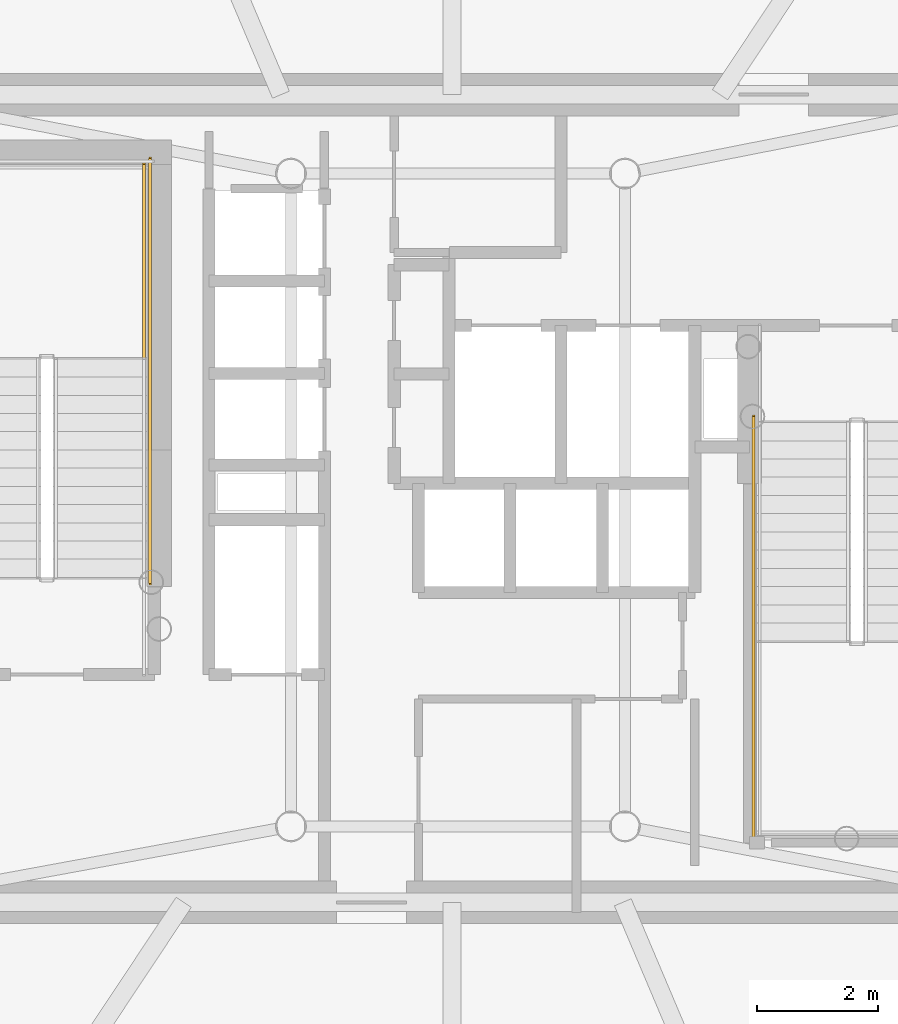
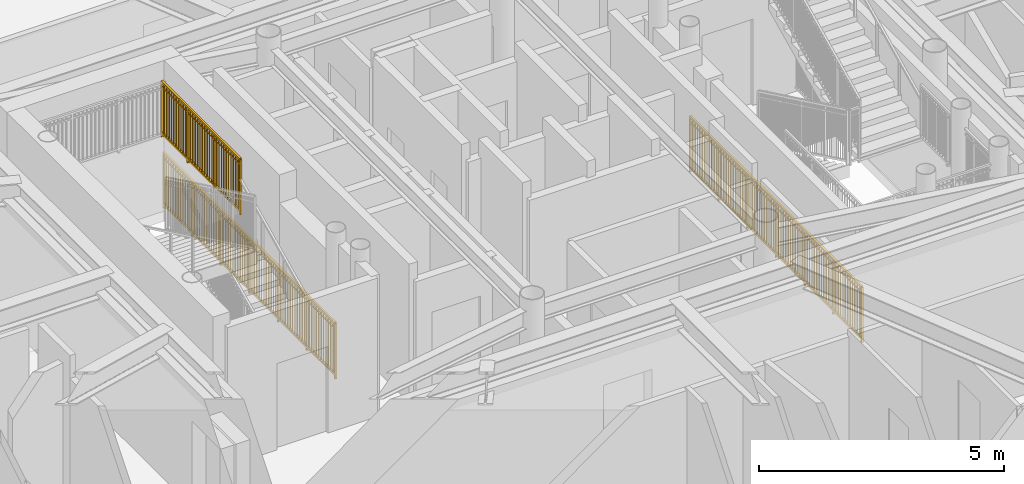
# One storey, part 15 of 18: 3 railings.
"""IFC4 building model written with IfcOpenShell, lengths in metres."""

from ifc_helpers import new_model, si_unit, direction, frame, origin, origin_2d, place, context, subcontext, project, spatial, rectangle, extrude, source, transform, mapped, material, type_object, element, save


model = new_model("IFC4")

# Units and contexts
model_context = context("Model", 3, precision=1e-05, world=origin(), true_north=direction((0.0, 1.0)))
body_context = subcontext(model_context, "Body", "Model", "MODEL_VIEW")
ifc_project = project(units=[si_unit("LENGTHUNIT", "METRE"), si_unit("AREAUNIT", "SQUARE_METRE"), si_unit("VOLUMEUNIT", "CUBIC_METRE"), si_unit("PLANEANGLEUNIT", "RADIAN"), si_unit("MASSUNIT", "GRAM", prefix="KILO")], contexts=[model_context])

# Site, building, storey
site_placement = place(None, origin())
site = spatial("IfcSite", under=ifc_project, at=site_placement, CompositionType="ELEMENT")
building_placement = place(site_placement, origin())
building = spatial("IfcBuilding", under=site, at=building_placement, Name="Linh Dai School and Residence Tower", CompositionType="ELEMENT")
storey_placement = place(building_placement, frame((0.0, 0.0, 259.050048828125)))
storey = spatial("IfcBuildingStorey", under=building, at=storey_placement, Name="L64", CompositionType="ELEMENT", Elevation=259.050048828125)

# Railings
ifc_material = material(Name="Structural Steel S355JR", Category="steel")
railing_type = type_object("IfcRailingType", Name="RL-ST-GUARD-1400", PredefinedType="GUARDRAIL", material=ifc_material)
shared_shape_1 = source(origin(), body_context, "Body", "SweptSolid", [
    extrude(rectangle(XDim=0.048095703125, YDim=0.048095703125, at=origin_2d()), frame((0.0, 0.0, 1.3759765625), z_axis=(0.0, 1.0, 0.0), x_axis=(-1.0, 0.0, 0.0)), (0.0, 0.0, 1.0), 7.0),
    extrude(rectangle(XDim=0.048095703125, YDim=0.048095703125, at=origin_2d()), frame((0.0, 0.0, 0.10009765625), z_axis=(0.0, 1.0, 0.0), x_axis=(-1.0, 0.0, 0.0)), (0.0, 0.0, 1.0), 7.0),
    extrude(rectangle(XDim=0.030029296875, YDim=0.030029296875, at=origin_2d()), frame((0.0, 0.0, 1.239990234375), z_axis=(0.0, 1.0, 0.0), x_axis=(-1.0, 0.0, 0.0)), (0.0, 0.0, 1.0), 7.0),
    extrude(rectangle(XDim=0.02001953125, YDim=0.02001953125, at=origin_2d()), frame((0.0, 0.09716796875, 0.10009765625)), (0.0, 0.0, 1.0), 1.251708984375),
    extrude(rectangle(XDim=0.02001953125, YDim=0.02001953125, at=origin_2d()), frame((0.0, 0.1943359375, 0.10009765625)), (0.0, 0.0, 1.0), 1.251708984375),
    extrude(rectangle(XDim=0.02001953125, YDim=0.02001953125, at=origin_2d()), frame((0.0, 0.291748046875, 0.10009765625)), (0.0, 0.0, 1.0), 1.251708984375),
    extrude(rectangle(XDim=0.02001953125, YDim=0.02001953125, at=origin_2d()), frame((0.0, 0.388916015625, 0.10009765625)), (0.0, 0.0, 1.0), 1.251708984375),
    extrude(rectangle(XDim=0.02001953125, YDim=0.02001953125, at=origin_2d()), frame((0.0, 0.486083984375, 0.10009765625)), (0.0, 0.0, 1.0), 1.251708984375),
    extrude(rectangle(XDim=0.02001953125, YDim=0.02001953125, at=origin_2d()), frame((0.0, 0.583251953125, 0.10009765625)), (0.0, 0.0, 1.0), 1.251708984375),
    extrude(rectangle(XDim=0.02001953125, YDim=0.02001953125, at=origin_2d()), frame((0.0, 0.6806640625, 0.10009765625)), (0.0, 0.0, 1.0), 1.251708984375),
    extrude(rectangle(XDim=0.02001953125, YDim=0.02001953125, at=origin_2d()), frame((0.0, 0.77783203125, 0.10009765625)), (0.0, 0.0, 1.0), 1.251708984375),
    extrude(rectangle(XDim=0.02001953125, YDim=0.02001953125, at=origin_2d()), frame((0.0, 0.875, 0.10009765625)), (0.0, 0.0, 1.0), 1.251708984375),
    extrude(rectangle(XDim=0.02001953125, YDim=0.02001953125, at=origin_2d()), frame((0.0, 0.97216796875, 0.10009765625)), (0.0, 0.0, 1.0), 1.251708984375),
    extrude(rectangle(XDim=0.02001953125, YDim=0.02001953125, at=origin_2d()), frame((0.0, 1.0693359375, 0.10009765625)), (0.0, 0.0, 1.0), 1.251708984375),
    extrude(rectangle(XDim=0.02001953125, YDim=0.02001953125, at=origin_2d()), frame((0.0, 1.263916015625, 0.10009765625)), (0.0, 0.0, 1.0), 1.251708984375),
    extrude(rectangle(XDim=0.02001953125, YDim=0.02001953125, at=origin_2d()), frame((0.0, 1.361083984375, 0.10009765625)), (0.0, 0.0, 1.0), 1.251708984375),
    extrude(rectangle(XDim=0.02001953125, YDim=0.02001953125, at=origin_2d()), frame((0.0, 1.458251953125, 0.10009765625)), (0.0, 0.0, 1.0), 1.251708984375),
    extrude(rectangle(XDim=0.02001953125, YDim=0.02001953125, at=origin_2d()), frame((0.0, 1.5556640625, 0.10009765625)), (0.0, 0.0, 1.0), 1.251708984375),
    extrude(rectangle(XDim=0.02001953125, YDim=0.02001953125, at=origin_2d()), frame((0.0, 1.65283203125, 0.10009765625)), (0.0, 0.0, 1.0), 1.251708984375),
    extrude(rectangle(XDim=0.02001953125, YDim=0.02001953125, at=origin_2d()), frame((0.0, 1.75, 0.10009765625)), (0.0, 0.0, 1.0), 1.251708984375),
    extrude(rectangle(XDim=0.02001953125, YDim=0.02001953125, at=origin_2d()), frame((0.0, 1.84716796875, 0.10009765625)), (0.0, 0.0, 1.0), 1.251708984375),
    extrude(rectangle(XDim=0.02001953125, YDim=0.02001953125, at=origin_2d()), frame((0.0, 1.9443359375, 0.10009765625)), (0.0, 0.0, 1.0), 1.251708984375),
    extrude(rectangle(XDim=0.02001953125, YDim=0.02001953125, at=origin_2d()), frame((0.0, 2.041748046875, 0.10009765625)), (0.0, 0.0, 1.0), 1.251708984375),
    extrude(rectangle(XDim=0.02001953125, YDim=0.02001953125, at=origin_2d()), frame((0.0, 2.138916015625, 0.10009765625)), (0.0, 0.0, 1.0), 1.251708984375),
    extrude(rectangle(XDim=0.02001953125, YDim=0.02001953125, at=origin_2d()), frame((0.0, 2.236083984375, 0.10009765625)), (0.0, 0.0, 1.0), 1.251708984375),
    extrude(rectangle(XDim=0.02001953125, YDim=0.02001953125, at=origin_2d()), frame((0.0, 2.4306640625, 0.10009765625)), (0.0, 0.0, 1.0), 1.251708984375),
    extrude(rectangle(XDim=0.02001953125, YDim=0.02001953125, at=origin_2d()), frame((0.0, 2.52783203125, 0.10009765625)), (0.0, 0.0, 1.0), 1.251708984375),
    extrude(rectangle(XDim=0.02001953125, YDim=0.02001953125, at=origin_2d()), frame((0.0, 2.625, 0.10009765625)), (0.0, 0.0, 1.0), 1.251708984375),
    extrude(rectangle(XDim=0.02001953125, YDim=0.02001953125, at=origin_2d()), frame((0.0, 2.72216796875, 0.10009765625)), (0.0, 0.0, 1.0), 1.251708984375),
    extrude(rectangle(XDim=0.02001953125, YDim=0.02001953125, at=origin_2d()), frame((0.0, 2.8193359375, 0.10009765625)), (0.0, 0.0, 1.0), 1.251708984375),
    extrude(rectangle(XDim=0.02001953125, YDim=0.02001953125, at=origin_2d()), frame((0.0, 2.916748046875, 0.10009765625)), (0.0, 0.0, 1.0), 1.251708984375),
    extrude(rectangle(XDim=0.02001953125, YDim=0.02001953125, at=origin_2d()), frame((0.0, 3.013916015625, 0.10009765625)), (0.0, 0.0, 1.0), 1.251708984375),
    extrude(rectangle(XDim=0.02001953125, YDim=0.02001953125, at=origin_2d()), frame((0.0, 3.111083984375, 0.10009765625)), (0.0, 0.0, 1.0), 1.251708984375),
    extrude(rectangle(XDim=0.02001953125, YDim=0.02001953125, at=origin_2d()), frame((0.0, 3.208251953125, 0.10009765625)), (0.0, 0.0, 1.0), 1.251708984375),
    extrude(rectangle(XDim=0.02001953125, YDim=0.02001953125, at=origin_2d()), frame((0.0, 3.3056640625, 0.10009765625)), (0.0, 0.0, 1.0), 1.251708984375),
    extrude(rectangle(XDim=0.02001953125, YDim=0.02001953125, at=origin_2d()), frame((0.0, 3.40283203125, 0.10009765625)), (0.0, 0.0, 1.0), 1.251708984375),
    extrude(rectangle(XDim=0.02001953125, YDim=0.02001953125, at=origin_2d()), frame((0.0, 3.59716796875, 0.10009765625)), (0.0, 0.0, 1.0), 1.251708984375),
    extrude(rectangle(XDim=0.02001953125, YDim=0.02001953125, at=origin_2d()), frame((0.0, 3.6943359375, 0.10009765625)), (0.0, 0.0, 1.0), 1.251708984375),
    extrude(rectangle(XDim=0.02001953125, YDim=0.02001953125, at=origin_2d()), frame((0.0, 3.791748046875, 0.10009765625)), (0.0, 0.0, 1.0), 1.251708984375),
    extrude(rectangle(XDim=0.02001953125, YDim=0.02001953125, at=origin_2d()), frame((0.0, 3.888916015625, 0.10009765625)), (0.0, 0.0, 1.0), 1.251708984375),
    extrude(rectangle(XDim=0.02001953125, YDim=0.02001953125, at=origin_2d()), frame((0.0, 3.986083984375, 0.10009765625)), (0.0, 0.0, 1.0), 1.251708984375),
    extrude(rectangle(XDim=0.02001953125, YDim=0.02001953125, at=origin_2d()), frame((0.0, 4.083251953125, 0.10009765625)), (0.0, 0.0, 1.0), 1.251708984375),
    extrude(rectangle(XDim=0.02001953125, YDim=0.02001953125, at=origin_2d()), frame((0.0, 4.1806640625, 0.10009765625)), (0.0, 0.0, 1.0), 1.251708984375),
    extrude(rectangle(XDim=0.02001953125, YDim=0.02001953125, at=origin_2d()), frame((0.0, 4.27783203125, 0.10009765625)), (0.0, 0.0, 1.0), 1.251708984375),
    extrude(rectangle(XDim=0.02001953125, YDim=0.02001953125, at=origin_2d()), frame((0.0, 4.375, 0.10009765625)), (0.0, 0.0, 1.0), 1.251708984375),
    extrude(rectangle(XDim=0.02001953125, YDim=0.02001953125, at=origin_2d()), frame((0.0, 4.47216796875, 0.10009765625)), (0.0, 0.0, 1.0), 1.251708984375),
    extrude(rectangle(XDim=0.02001953125, YDim=0.02001953125, at=origin_2d()), frame((0.0, 4.5693359375, 0.10009765625)), (0.0, 0.0, 1.0), 1.251708984375),
    extrude(rectangle(XDim=0.02001953125, YDim=0.02001953125, at=origin_2d()), frame((0.0, 4.763916015625, 0.10009765625)), (0.0, 0.0, 1.0), 1.251708984375),
    extrude(rectangle(XDim=0.02001953125, YDim=0.02001953125, at=origin_2d()), frame((0.0, 4.861083984375, 0.10009765625)), (0.0, 0.0, 1.0), 1.251708984375),
    extrude(rectangle(XDim=0.02001953125, YDim=0.02001953125, at=origin_2d()), frame((0.0, 4.958251953125, 0.10009765625)), (0.0, 0.0, 1.0), 1.251708984375),
    extrude(rectangle(XDim=0.02001953125, YDim=0.02001953125, at=origin_2d()), frame((0.0, 5.0556640625, 0.10009765625)), (0.0, 0.0, 1.0), 1.251708984375),
    extrude(rectangle(XDim=0.02001953125, YDim=0.02001953125, at=origin_2d()), frame((0.0, 5.15283203125, 0.10009765625)), (0.0, 0.0, 1.0), 1.251708984375),
    extrude(rectangle(XDim=0.02001953125, YDim=0.02001953125, at=origin_2d()), frame((0.0, 5.25, 0.10009765625)), (0.0, 0.0, 1.0), 1.251708984375),
    extrude(rectangle(XDim=0.02001953125, YDim=0.02001953125, at=origin_2d()), frame((0.0, 5.34716796875, 0.10009765625)), (0.0, 0.0, 1.0), 1.251708984375),
    extrude(rectangle(XDim=0.02001953125, YDim=0.02001953125, at=origin_2d()), frame((0.0, 5.4443359375, 0.10009765625)), (0.0, 0.0, 1.0), 1.251708984375),
    extrude(rectangle(XDim=0.02001953125, YDim=0.02001953125, at=origin_2d()), frame((0.0, 5.541748046875, 0.10009765625)), (0.0, 0.0, 1.0), 1.251708984375),
    extrude(rectangle(XDim=0.02001953125, YDim=0.02001953125, at=origin_2d()), frame((0.0, 5.638916015625, 0.10009765625)), (0.0, 0.0, 1.0), 1.251708984375),
    extrude(rectangle(XDim=0.02001953125, YDim=0.02001953125, at=origin_2d()), frame((0.0, 5.736083984375, 0.10009765625)), (0.0, 0.0, 1.0), 1.251708984375),
    extrude(rectangle(XDim=0.02001953125, YDim=0.02001953125, at=origin_2d()), frame((0.0, 5.9306640625, 0.10009765625)), (0.0, 0.0, 1.0), 1.251708984375),
    extrude(rectangle(XDim=0.02001953125, YDim=0.02001953125, at=origin_2d()), frame((0.0, 6.02783203125, 0.10009765625)), (0.0, 0.0, 1.0), 1.251708984375),
    extrude(rectangle(XDim=0.02001953125, YDim=0.02001953125, at=origin_2d()), frame((0.0, 6.125, 0.10009765625)), (0.0, 0.0, 1.0), 1.251708984375),
    extrude(rectangle(XDim=0.02001953125, YDim=0.02001953125, at=origin_2d()), frame((0.0, 6.22216796875, 0.10009765625)), (0.0, 0.0, 1.0), 1.251708984375),
    extrude(rectangle(XDim=0.02001953125, YDim=0.02001953125, at=origin_2d()), frame((0.0, 6.3193359375, 0.10009765625)), (0.0, 0.0, 1.0), 1.251708984375),
    extrude(rectangle(XDim=0.02001953125, YDim=0.02001953125, at=origin_2d()), frame((0.0, 6.416748046875, 0.10009765625)), (0.0, 0.0, 1.0), 1.251708984375),
    extrude(rectangle(XDim=0.02001953125, YDim=0.02001953125, at=origin_2d()), frame((0.0, 6.513916015625, 0.10009765625)), (0.0, 0.0, 1.0), 1.251708984375),
    extrude(rectangle(XDim=0.02001953125, YDim=0.02001953125, at=origin_2d()), frame((0.0, 6.611083984375, 0.10009765625)), (0.0, 0.0, 1.0), 1.251708984375),
    extrude(rectangle(XDim=0.02001953125, YDim=0.02001953125, at=origin_2d()), frame((0.0, 6.708251953125, 0.10009765625)), (0.0, 0.0, 1.0), 1.251708984375),
    extrude(rectangle(XDim=0.02001953125, YDim=0.02001953125, at=origin_2d()), frame((0.0, 6.8056640625, 0.10009765625)), (0.0, 0.0, 1.0), 1.251708984375),
    extrude(rectangle(XDim=0.02001953125, YDim=0.02001953125, at=origin_2d()), frame((0.0, 6.90283203125, 0.10009765625)), (0.0, 0.0, 1.0), 1.251708984375),
    extrude(rectangle(XDim=0.0419921875, YDim=0.0419921875, at=origin_2d()), origin(), (0.0, 0.0, 1.0), 1.3759765625),
    extrude(rectangle(XDim=0.0419921875, YDim=0.0419921875, at=origin_2d()), frame((0.0, 1.166748046875, 0.0)), (0.0, 0.0, 1.0), 1.3759765625),
    extrude(rectangle(XDim=0.0419921875, YDim=0.0419921875, at=origin_2d()), frame((0.0, 2.333251953125, 0.0)), (0.0, 0.0, 1.0), 1.3759765625),
    extrude(rectangle(XDim=0.0419921875, YDim=0.0419921875, at=origin_2d()), frame((0.0, 3.5, 0.0)), (0.0, 0.0, 1.0), 1.3759765625),
    extrude(rectangle(XDim=0.0419921875, YDim=0.0419921875, at=origin_2d()), frame((0.0, 4.666748046875, 0.0)), (0.0, 0.0, 1.0), 1.3759765625),
    extrude(rectangle(XDim=0.0419921875, YDim=0.0419921875, at=origin_2d()), frame((0.0, 5.833251953125, 0.0)), (0.0, 0.0, 1.0), 1.3759765625),
    extrude(rectangle(XDim=0.0419921875, YDim=0.0419921875, at=origin_2d()), frame((0.0, 7.0, 0.0)), (0.0, 0.0, 1.0), 1.3759765625),
])
railing_1_placement = place(storey_placement, frame((31.030029296875, 25.60009765625, 0.0)))
element("IfcRailing", 1, at=railing_1_placement, inside=storey, type_object=railing_type, Name="L64 ST1 stair guard 10", PredefinedType="GUARDRAIL", context=body_context, shape_type="MappedRepresentation", body=[
    mapped(shared_shape_1, transform((0.0, 0.0, 0.0), x_axis=(1.0, 0.0, 0.0), y_axis=(0.0, 1.0, 0.0), z_axis=(0.0, 0.0, 1.0), scale=1.0)),
])
shared_shape_2 = source(origin(), body_context, "Body", "SweptSolid", [
    extrude(rectangle(XDim=0.048095703125, YDim=0.048095703125, at=origin_2d()), frame((0.0, 0.0, 1.3759765625), z_axis=(0.0, 1.0, 0.0), x_axis=(-1.0, 0.0, 0.0)), (0.0, 0.0, 1.0), 3.199951171875),
    extrude(rectangle(XDim=0.048095703125, YDim=0.048095703125, at=origin_2d()), frame((0.0, 0.0, 0.10009765625), z_axis=(0.0, 1.0, 0.0), x_axis=(-1.0, 0.0, 0.0)), (0.0, 0.0, 1.0), 3.199951171875),
    extrude(rectangle(XDim=0.030029296875, YDim=0.030029296875, at=origin_2d()), frame((0.0, 0.0, 1.239990234375), z_axis=(0.0, 1.0, 0.0), x_axis=(-1.0, 0.0, 0.0)), (0.0, 0.0, 1.0), 3.199951171875),
    extrude(rectangle(XDim=0.02001953125, YDim=0.02001953125, at=origin_2d()), frame((0.0, 0.096923828125, 0.10009765625)), (0.0, 0.0, 1.0), 1.251708984375),
    extrude(rectangle(XDim=0.02001953125, YDim=0.02001953125, at=origin_2d()), frame((0.0, 0.19384765625, 0.10009765625)), (0.0, 0.0, 1.0), 1.251708984375),
    extrude(rectangle(XDim=0.02001953125, YDim=0.02001953125, at=origin_2d()), frame((0.0, 0.291015625, 0.10009765625)), (0.0, 0.0, 1.0), 1.251708984375),
    extrude(rectangle(XDim=0.02001953125, YDim=0.02001953125, at=origin_2d()), frame((0.0, 0.387939453125, 0.10009765625)), (0.0, 0.0, 1.0), 1.251708984375),
    extrude(rectangle(XDim=0.02001953125, YDim=0.02001953125, at=origin_2d()), frame((0.0, 0.48486328125, 0.10009765625)), (0.0, 0.0, 1.0), 1.251708984375),
    extrude(rectangle(XDim=0.02001953125, YDim=0.02001953125, at=origin_2d()), frame((0.0, 0.581787109375, 0.10009765625)), (0.0, 0.0, 1.0), 1.251708984375),
    extrude(rectangle(XDim=0.02001953125, YDim=0.02001953125, at=origin_2d()), frame((0.0, 0.6787109375, 0.10009765625)), (0.0, 0.0, 1.0), 1.251708984375),
    extrude(rectangle(XDim=0.02001953125, YDim=0.02001953125, at=origin_2d()), frame((0.0, 0.775634765625, 0.10009765625)), (0.0, 0.0, 1.0), 1.251708984375),
    extrude(rectangle(XDim=0.02001953125, YDim=0.02001953125, at=origin_2d()), frame((0.0, 0.872802734375, 0.10009765625)), (0.0, 0.0, 1.0), 1.251708984375),
    extrude(rectangle(XDim=0.02001953125, YDim=0.02001953125, at=origin_2d()), frame((0.0, 0.9697265625, 0.10009765625)), (0.0, 0.0, 1.0), 1.251708984375),
    extrude(rectangle(XDim=0.02001953125, YDim=0.02001953125, at=origin_2d()), frame((0.0, 1.16357421875, 0.10009765625)), (0.0, 0.0, 1.0), 1.251708984375),
    extrude(rectangle(XDim=0.02001953125, YDim=0.02001953125, at=origin_2d()), frame((0.0, 1.260498046875, 0.10009765625)), (0.0, 0.0, 1.0), 1.251708984375),
    extrude(rectangle(XDim=0.02001953125, YDim=0.02001953125, at=origin_2d()), frame((0.0, 1.357666015625, 0.10009765625)), (0.0, 0.0, 1.0), 1.251708984375),
    extrude(rectangle(XDim=0.02001953125, YDim=0.02001953125, at=origin_2d()), frame((0.0, 1.45458984375, 0.10009765625)), (0.0, 0.0, 1.0), 1.251708984375),
    extrude(rectangle(XDim=0.02001953125, YDim=0.02001953125, at=origin_2d()), frame((0.0, 1.551513671875, 0.10009765625)), (0.0, 0.0, 1.0), 1.251708984375),
    extrude(rectangle(XDim=0.02001953125, YDim=0.02001953125, at=origin_2d()), frame((0.0, 1.6484375, 0.10009765625)), (0.0, 0.0, 1.0), 1.251708984375),
    extrude(rectangle(XDim=0.02001953125, YDim=0.02001953125, at=origin_2d()), frame((0.0, 1.745361328125, 0.10009765625)), (0.0, 0.0, 1.0), 1.251708984375),
    extrude(rectangle(XDim=0.02001953125, YDim=0.02001953125, at=origin_2d()), frame((0.0, 1.84228515625, 0.10009765625)), (0.0, 0.0, 1.0), 1.251708984375),
    extrude(rectangle(XDim=0.02001953125, YDim=0.02001953125, at=origin_2d()), frame((0.0, 1.939453125, 0.10009765625)), (0.0, 0.0, 1.0), 1.251708984375),
    extrude(rectangle(XDim=0.02001953125, YDim=0.02001953125, at=origin_2d()), frame((0.0, 2.036376953125, 0.10009765625)), (0.0, 0.0, 1.0), 1.251708984375),
    extrude(rectangle(XDim=0.02001953125, YDim=0.02001953125, at=origin_2d()), frame((0.0, 2.230224609375, 0.10009765625)), (0.0, 0.0, 1.0), 1.251708984375),
    extrude(rectangle(XDim=0.02001953125, YDim=0.02001953125, at=origin_2d()), frame((0.0, 2.3271484375, 0.10009765625)), (0.0, 0.0, 1.0), 1.251708984375),
    extrude(rectangle(XDim=0.02001953125, YDim=0.02001953125, at=origin_2d()), frame((0.0, 2.42431640625, 0.10009765625)), (0.0, 0.0, 1.0), 1.251708984375),
    extrude(rectangle(XDim=0.02001953125, YDim=0.02001953125, at=origin_2d()), frame((0.0, 2.521240234375, 0.10009765625)), (0.0, 0.0, 1.0), 1.251708984375),
    extrude(rectangle(XDim=0.02001953125, YDim=0.02001953125, at=origin_2d()), frame((0.0, 2.6181640625, 0.10009765625)), (0.0, 0.0, 1.0), 1.251708984375),
    extrude(rectangle(XDim=0.02001953125, YDim=0.02001953125, at=origin_2d()), frame((0.0, 2.715087890625, 0.10009765625)), (0.0, 0.0, 1.0), 1.251708984375),
    extrude(rectangle(XDim=0.02001953125, YDim=0.02001953125, at=origin_2d()), frame((0.0, 2.81201171875, 0.10009765625)), (0.0, 0.0, 1.0), 1.251708984375),
    extrude(rectangle(XDim=0.02001953125, YDim=0.02001953125, at=origin_2d()), frame((0.0, 2.908935546875, 0.10009765625)), (0.0, 0.0, 1.0), 1.251708984375),
    extrude(rectangle(XDim=0.02001953125, YDim=0.02001953125, at=origin_2d()), frame((0.0, 3.006103515625, 0.10009765625)), (0.0, 0.0, 1.0), 1.251708984375),
    extrude(rectangle(XDim=0.02001953125, YDim=0.02001953125, at=origin_2d()), frame((0.0, 3.10302734375, 0.10009765625)), (0.0, 0.0, 1.0), 1.251708984375),
    extrude(rectangle(XDim=0.0419921875, YDim=0.0419921875, at=origin_2d()), origin(), (0.0, 0.0, 1.0), 1.3759765625),
    extrude(rectangle(XDim=0.0419921875, YDim=0.0419921875, at=origin_2d()), frame((0.0, 1.066650390625, 0.0)), (0.0, 0.0, 1.0), 1.3759765625),
    extrude(rectangle(XDim=0.0419921875, YDim=0.0419921875, at=origin_2d()), frame((0.0, 2.13330078125, 0.0)), (0.0, 0.0, 1.0), 1.3759765625),
    extrude(rectangle(XDim=0.0419921875, YDim=0.0419921875, at=origin_2d()), frame((0.0, 3.199951171875, 0.0)), (0.0, 0.0, 1.0), 1.3759765625),
])
railing_2_placement = place(storey_placement, frame((30.929931640625, 29.300048828125, 1.875)))
element("IfcRailing", 2, at=railing_2_placement, inside=storey, type_object=railing_type, Name="L64 ST1 stair guard 3", PredefinedType="GUARDRAIL", context=body_context, shape_type="MappedRepresentation", body=[
    mapped(shared_shape_2, transform((0.0, 0.0, 0.0), x_axis=(1.0, 0.0, 0.0), y_axis=(0.0, 1.0, 0.0), z_axis=(0.0, 0.0, 1.0), scale=1.0)),
])
shared_shape_3 = source(origin(), body_context, "Body", "SweptSolid", [
    extrude(rectangle(XDim=0.048095703125, YDim=0.048095703125, at=origin_2d()), frame((0.0, 0.0, 1.3759765625), z_axis=(0.0, -1.0, 0.0), x_axis=(1.0, 0.0, 0.0)), (0.0, 0.0, 1.0), 7.0),
    extrude(rectangle(XDim=0.048095703125, YDim=0.048095703125, at=origin_2d()), frame((0.0, 0.0, 0.10009765625), z_axis=(0.0, -1.0, 0.0), x_axis=(1.0, 0.0, 0.0)), (0.0, 0.0, 1.0), 7.0),
    extrude(rectangle(XDim=0.030029296875, YDim=0.030029296875, at=origin_2d()), frame((0.0, 0.0, 1.239990234375), z_axis=(0.0, -1.0, 0.0), x_axis=(1.0, 0.0, 0.0)), (0.0, 0.0, 1.0), 7.0),
    extrude(rectangle(XDim=0.02001953125, YDim=0.02001953125, at=origin_2d()), frame((0.0, -0.09716796875, 0.10009765625)), (0.0, 0.0, 1.0), 1.251708984375),
    extrude(rectangle(XDim=0.02001953125, YDim=0.02001953125, at=origin_2d()), frame((0.0, -0.1943359375, 0.10009765625)), (0.0, 0.0, 1.0), 1.251708984375),
    extrude(rectangle(XDim=0.02001953125, YDim=0.02001953125, at=origin_2d()), frame((0.0, -0.291748046875, 0.10009765625)), (0.0, 0.0, 1.0), 1.251708984375),
    extrude(rectangle(XDim=0.02001953125, YDim=0.02001953125, at=origin_2d()), frame((0.0, -0.388916015625, 0.10009765625)), (0.0, 0.0, 1.0), 1.251708984375),
    extrude(rectangle(XDim=0.02001953125, YDim=0.02001953125, at=origin_2d()), frame((0.0, -0.486083984375, 0.10009765625)), (0.0, 0.0, 1.0), 1.251708984375),
    extrude(rectangle(XDim=0.02001953125, YDim=0.02001953125, at=origin_2d()), frame((0.0, -0.583251953125, 0.10009765625)), (0.0, 0.0, 1.0), 1.251708984375),
    extrude(rectangle(XDim=0.02001953125, YDim=0.02001953125, at=origin_2d()), frame((0.0, -0.6806640625, 0.10009765625)), (0.0, 0.0, 1.0), 1.251708984375),
    extrude(rectangle(XDim=0.02001953125, YDim=0.02001953125, at=origin_2d()), frame((0.0, -0.77783203125, 0.10009765625)), (0.0, 0.0, 1.0), 1.251708984375),
    extrude(rectangle(XDim=0.02001953125, YDim=0.02001953125, at=origin_2d()), frame((0.0, -0.875, 0.10009765625)), (0.0, 0.0, 1.0), 1.251708984375),
    extrude(rectangle(XDim=0.02001953125, YDim=0.02001953125, at=origin_2d()), frame((0.0, -0.97216796875, 0.10009765625)), (0.0, 0.0, 1.0), 1.251708984375),
    extrude(rectangle(XDim=0.02001953125, YDim=0.02001953125, at=origin_2d()), frame((0.0, -1.0693359375, 0.10009765625)), (0.0, 0.0, 1.0), 1.251708984375),
    extrude(rectangle(XDim=0.02001953125, YDim=0.02001953125, at=origin_2d()), frame((0.0, -1.263916015625, 0.10009765625)), (0.0, 0.0, 1.0), 1.251708984375),
    extrude(rectangle(XDim=0.02001953125, YDim=0.02001953125, at=origin_2d()), frame((0.0, -1.361083984375, 0.10009765625)), (0.0, 0.0, 1.0), 1.251708984375),
    extrude(rectangle(XDim=0.02001953125, YDim=0.02001953125, at=origin_2d()), frame((0.0, -1.458251953125, 0.10009765625)), (0.0, 0.0, 1.0), 1.251708984375),
    extrude(rectangle(XDim=0.02001953125, YDim=0.02001953125, at=origin_2d()), frame((0.0, -1.5556640625, 0.10009765625)), (0.0, 0.0, 1.0), 1.251708984375),
    extrude(rectangle(XDim=0.02001953125, YDim=0.02001953125, at=origin_2d()), frame((0.0, -1.65283203125, 0.10009765625)), (0.0, 0.0, 1.0), 1.251708984375),
    extrude(rectangle(XDim=0.02001953125, YDim=0.02001953125, at=origin_2d()), frame((0.0, -1.75, 0.10009765625)), (0.0, 0.0, 1.0), 1.251708984375),
    extrude(rectangle(XDim=0.02001953125, YDim=0.02001953125, at=origin_2d()), frame((0.0, -1.84716796875, 0.10009765625)), (0.0, 0.0, 1.0), 1.251708984375),
    extrude(rectangle(XDim=0.02001953125, YDim=0.02001953125, at=origin_2d()), frame((0.0, -1.9443359375, 0.10009765625)), (0.0, 0.0, 1.0), 1.251708984375),
    extrude(rectangle(XDim=0.02001953125, YDim=0.02001953125, at=origin_2d()), frame((0.0, -2.041748046875, 0.10009765625)), (0.0, 0.0, 1.0), 1.251708984375),
    extrude(rectangle(XDim=0.02001953125, YDim=0.02001953125, at=origin_2d()), frame((0.0, -2.138916015625, 0.10009765625)), (0.0, 0.0, 1.0), 1.251708984375),
    extrude(rectangle(XDim=0.02001953125, YDim=0.02001953125, at=origin_2d()), frame((0.0, -2.236083984375, 0.10009765625)), (0.0, 0.0, 1.0), 1.251708984375),
    extrude(rectangle(XDim=0.02001953125, YDim=0.02001953125, at=origin_2d()), frame((0.0, -2.4306640625, 0.10009765625)), (0.0, 0.0, 1.0), 1.251708984375),
    extrude(rectangle(XDim=0.02001953125, YDim=0.02001953125, at=origin_2d()), frame((0.0, -2.52783203125, 0.10009765625)), (0.0, 0.0, 1.0), 1.251708984375),
    extrude(rectangle(XDim=0.02001953125, YDim=0.02001953125, at=origin_2d()), frame((0.0, -2.625, 0.10009765625)), (0.0, 0.0, 1.0), 1.251708984375),
    extrude(rectangle(XDim=0.02001953125, YDim=0.02001953125, at=origin_2d()), frame((0.0, -2.72216796875, 0.10009765625)), (0.0, 0.0, 1.0), 1.251708984375),
    extrude(rectangle(XDim=0.02001953125, YDim=0.02001953125, at=origin_2d()), frame((0.0, -2.8193359375, 0.10009765625)), (0.0, 0.0, 1.0), 1.251708984375),
    extrude(rectangle(XDim=0.02001953125, YDim=0.02001953125, at=origin_2d()), frame((0.0, -2.916748046875, 0.10009765625)), (0.0, 0.0, 1.0), 1.251708984375),
    extrude(rectangle(XDim=0.02001953125, YDim=0.02001953125, at=origin_2d()), frame((0.0, -3.013916015625, 0.10009765625)), (0.0, 0.0, 1.0), 1.251708984375),
    extrude(rectangle(XDim=0.02001953125, YDim=0.02001953125, at=origin_2d()), frame((0.0, -3.111083984375, 0.10009765625)), (0.0, 0.0, 1.0), 1.251708984375),
    extrude(rectangle(XDim=0.02001953125, YDim=0.02001953125, at=origin_2d()), frame((0.0, -3.208251953125, 0.10009765625)), (0.0, 0.0, 1.0), 1.251708984375),
    extrude(rectangle(XDim=0.02001953125, YDim=0.02001953125, at=origin_2d()), frame((0.0, -3.3056640625, 0.10009765625)), (0.0, 0.0, 1.0), 1.251708984375),
    extrude(rectangle(XDim=0.02001953125, YDim=0.02001953125, at=origin_2d()), frame((0.0, -3.40283203125, 0.10009765625)), (0.0, 0.0, 1.0), 1.251708984375),
    extrude(rectangle(XDim=0.02001953125, YDim=0.02001953125, at=origin_2d()), frame((0.0, -3.59716796875, 0.10009765625)), (0.0, 0.0, 1.0), 1.251708984375),
    extrude(rectangle(XDim=0.02001953125, YDim=0.02001953125, at=origin_2d()), frame((0.0, -3.6943359375, 0.10009765625)), (0.0, 0.0, 1.0), 1.251708984375),
    extrude(rectangle(XDim=0.02001953125, YDim=0.02001953125, at=origin_2d()), frame((0.0, -3.791748046875, 0.10009765625)), (0.0, 0.0, 1.0), 1.251708984375),
    extrude(rectangle(XDim=0.02001953125, YDim=0.02001953125, at=origin_2d()), frame((0.0, -3.888916015625, 0.10009765625)), (0.0, 0.0, 1.0), 1.251708984375),
    extrude(rectangle(XDim=0.02001953125, YDim=0.02001953125, at=origin_2d()), frame((0.0, -3.986083984375, 0.10009765625)), (0.0, 0.0, 1.0), 1.251708984375),
    extrude(rectangle(XDim=0.02001953125, YDim=0.02001953125, at=origin_2d()), frame((0.0, -4.083251953125, 0.10009765625)), (0.0, 0.0, 1.0), 1.251708984375),
    extrude(rectangle(XDim=0.02001953125, YDim=0.02001953125, at=origin_2d()), frame((0.0, -4.1806640625, 0.10009765625)), (0.0, 0.0, 1.0), 1.251708984375),
    extrude(rectangle(XDim=0.02001953125, YDim=0.02001953125, at=origin_2d()), frame((0.0, -4.27783203125, 0.10009765625)), (0.0, 0.0, 1.0), 1.251708984375),
    extrude(rectangle(XDim=0.02001953125, YDim=0.02001953125, at=origin_2d()), frame((0.0, -4.375, 0.10009765625)), (0.0, 0.0, 1.0), 1.251708984375),
    extrude(rectangle(XDim=0.02001953125, YDim=0.02001953125, at=origin_2d()), frame((0.0, -4.47216796875, 0.10009765625)), (0.0, 0.0, 1.0), 1.251708984375),
    extrude(rectangle(XDim=0.02001953125, YDim=0.02001953125, at=origin_2d()), frame((0.0, -4.5693359375, 0.10009765625)), (0.0, 0.0, 1.0), 1.251708984375),
    extrude(rectangle(XDim=0.02001953125, YDim=0.02001953125, at=origin_2d()), frame((0.0, -4.763916015625, 0.10009765625)), (0.0, 0.0, 1.0), 1.251708984375),
    extrude(rectangle(XDim=0.02001953125, YDim=0.02001953125, at=origin_2d()), frame((0.0, -4.861083984375, 0.10009765625)), (0.0, 0.0, 1.0), 1.251708984375),
    extrude(rectangle(XDim=0.02001953125, YDim=0.02001953125, at=origin_2d()), frame((0.0, -4.958251953125, 0.10009765625)), (0.0, 0.0, 1.0), 1.251708984375),
    extrude(rectangle(XDim=0.02001953125, YDim=0.02001953125, at=origin_2d()), frame((0.0, -5.0556640625, 0.10009765625)), (0.0, 0.0, 1.0), 1.251708984375),
    extrude(rectangle(XDim=0.02001953125, YDim=0.02001953125, at=origin_2d()), frame((0.0, -5.15283203125, 0.10009765625)), (0.0, 0.0, 1.0), 1.251708984375),
    extrude(rectangle(XDim=0.02001953125, YDim=0.02001953125, at=origin_2d()), frame((0.0, -5.25, 0.10009765625)), (0.0, 0.0, 1.0), 1.251708984375),
    extrude(rectangle(XDim=0.02001953125, YDim=0.02001953125, at=origin_2d()), frame((0.0, -5.34716796875, 0.10009765625)), (0.0, 0.0, 1.0), 1.251708984375),
    extrude(rectangle(XDim=0.02001953125, YDim=0.02001953125, at=origin_2d()), frame((0.0, -5.4443359375, 0.10009765625)), (0.0, 0.0, 1.0), 1.251708984375),
    extrude(rectangle(XDim=0.02001953125, YDim=0.02001953125, at=origin_2d()), frame((0.0, -5.541748046875, 0.10009765625)), (0.0, 0.0, 1.0), 1.251708984375),
    extrude(rectangle(XDim=0.02001953125, YDim=0.02001953125, at=origin_2d()), frame((0.0, -5.638916015625, 0.10009765625)), (0.0, 0.0, 1.0), 1.251708984375),
    extrude(rectangle(XDim=0.02001953125, YDim=0.02001953125, at=origin_2d()), frame((0.0, -5.736083984375, 0.10009765625)), (0.0, 0.0, 1.0), 1.251708984375),
    extrude(rectangle(XDim=0.02001953125, YDim=0.02001953125, at=origin_2d()), frame((0.0, -5.9306640625, 0.10009765625)), (0.0, 0.0, 1.0), 1.251708984375),
    extrude(rectangle(XDim=0.02001953125, YDim=0.02001953125, at=origin_2d()), frame((0.0, -6.02783203125, 0.10009765625)), (0.0, 0.0, 1.0), 1.251708984375),
    extrude(rectangle(XDim=0.02001953125, YDim=0.02001953125, at=origin_2d()), frame((0.0, -6.125, 0.10009765625)), (0.0, 0.0, 1.0), 1.251708984375),
    extrude(rectangle(XDim=0.02001953125, YDim=0.02001953125, at=origin_2d()), frame((0.0, -6.22216796875, 0.10009765625)), (0.0, 0.0, 1.0), 1.251708984375),
    extrude(rectangle(XDim=0.02001953125, YDim=0.02001953125, at=origin_2d()), frame((0.0, -6.3193359375, 0.10009765625)), (0.0, 0.0, 1.0), 1.251708984375),
    extrude(rectangle(XDim=0.02001953125, YDim=0.02001953125, at=origin_2d()), frame((0.0, -6.416748046875, 0.10009765625)), (0.0, 0.0, 1.0), 1.251708984375),
    extrude(rectangle(XDim=0.02001953125, YDim=0.02001953125, at=origin_2d()), frame((0.0, -6.513916015625, 0.10009765625)), (0.0, 0.0, 1.0), 1.251708984375),
    extrude(rectangle(XDim=0.02001953125, YDim=0.02001953125, at=origin_2d()), frame((0.0, -6.611083984375, 0.10009765625)), (0.0, 0.0, 1.0), 1.251708984375),
    extrude(rectangle(XDim=0.02001953125, YDim=0.02001953125, at=origin_2d()), frame((0.0, -6.708251953125, 0.10009765625)), (0.0, 0.0, 1.0), 1.251708984375),
    extrude(rectangle(XDim=0.02001953125, YDim=0.02001953125, at=origin_2d()), frame((0.0, -6.8056640625, 0.10009765625)), (0.0, 0.0, 1.0), 1.251708984375),
    extrude(rectangle(XDim=0.02001953125, YDim=0.02001953125, at=origin_2d()), frame((0.0, -6.90283203125, 0.10009765625)), (0.0, 0.0, 1.0), 1.251708984375),
    extrude(rectangle(XDim=0.0419921875, YDim=0.0419921875, at=origin_2d()), origin(), (0.0, 0.0, 1.0), 1.3759765625),
    extrude(rectangle(XDim=0.0419921875, YDim=0.0419921875, at=origin_2d()), frame((0.0, -1.166748046875, 0.0)), (0.0, 0.0, 1.0), 1.3759765625),
    extrude(rectangle(XDim=0.0419921875, YDim=0.0419921875, at=origin_2d()), frame((0.0, -2.333251953125, 0.0)), (0.0, 0.0, 1.0), 1.3759765625),
    extrude(rectangle(XDim=0.0419921875, YDim=0.0419921875, at=origin_2d()), frame((0.0, -3.5, 0.0)), (0.0, 0.0, 1.0), 1.3759765625),
    extrude(rectangle(XDim=0.0419921875, YDim=0.0419921875, at=origin_2d()), frame((0.0, -4.666748046875, 0.0)), (0.0, 0.0, 1.0), 1.3759765625),
    extrude(rectangle(XDim=0.0419921875, YDim=0.0419921875, at=origin_2d()), frame((0.0, -5.833251953125, 0.0)), (0.0, 0.0, 1.0), 1.3759765625),
    extrude(rectangle(XDim=0.0419921875, YDim=0.0419921875, at=origin_2d()), frame((0.0, -7.0, 0.0)), (0.0, 0.0, 1.0), 1.3759765625),
])
railing_3_placement = place(storey_placement, frame((40.969970703125, 28.35009765625, 0.0)))
element("IfcRailing", 3, at=railing_3_placement, inside=storey, type_object=railing_type, Name="L64 ST2 stair guard 10", PredefinedType="GUARDRAIL", context=body_context, shape_type="MappedRepresentation", body=[
    mapped(shared_shape_3, transform((0.0, 0.0, 0.0), x_axis=(1.0, 0.0, 0.0), y_axis=(0.0, 1.0, 0.0), z_axis=(0.0, 0.0, 1.0), scale=1.0)),
])

save(model, "model.ifc")
